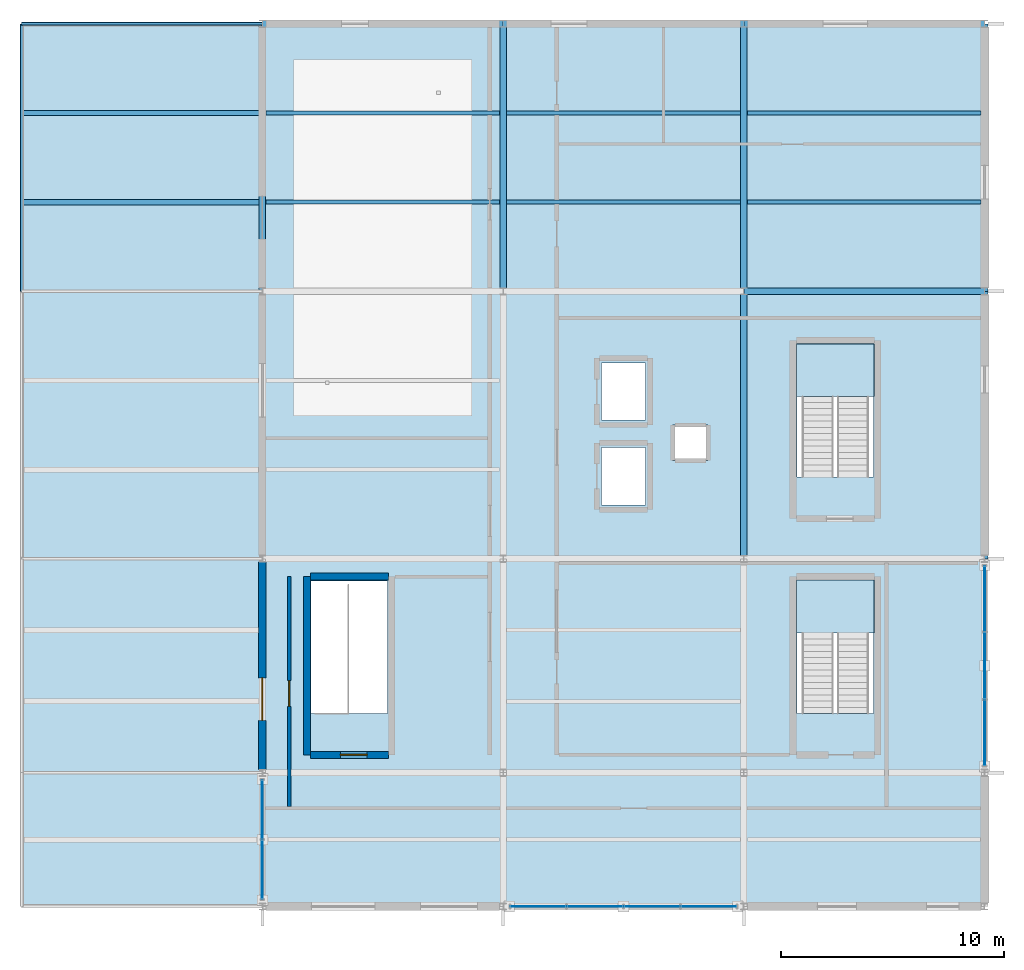
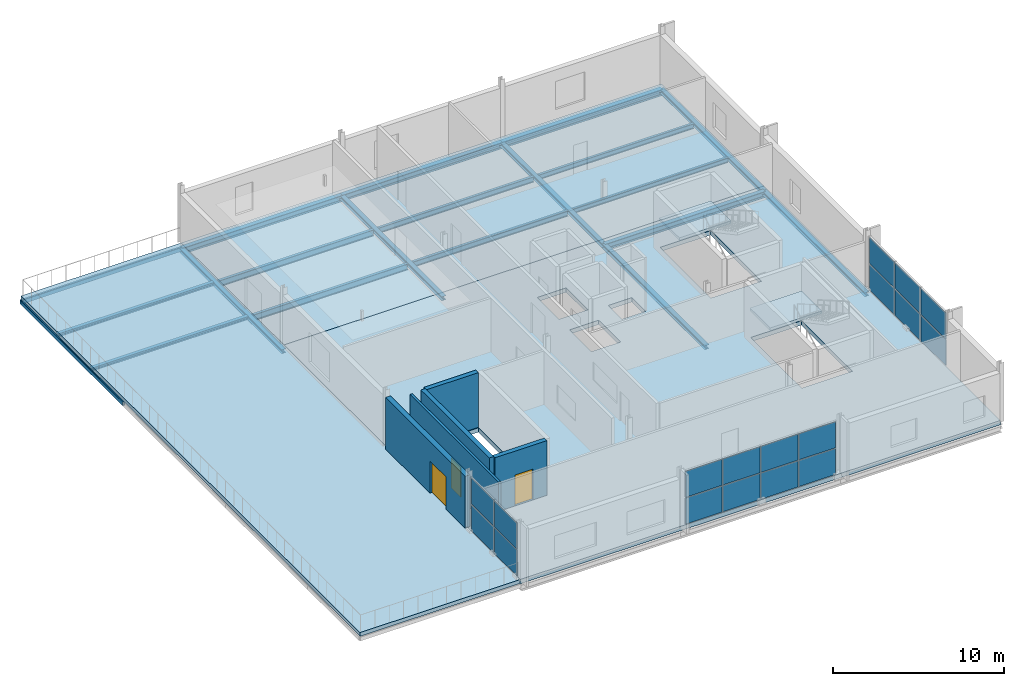
# One storey, part 10 of 13: 20 beams, 18 plates, 5 slabs, 5 walls, 3 doors, 3 openings, 5 elements without a shape of their own.
"""IFC4 building model written with IfcOpenShell, lengths in metres."""

from ifc_helpers import new_model, si_unit, direction, frame, frame_2d, origin, origin_2d, place, context, subcontext, project, spatial, polyline, rectangle, hollow_rectangle, i_section, outline, extrude, material, layer, layer_set, material_profile, profile_set, type_object, element, fill, aggregate, save


model = new_model("IFC4")

# Units and contexts
model_context = context("Model", 3, precision=1e-05, world=origin(), true_north=direction((0.0, 1.0)))
body_context = subcontext(model_context, "Body", "Model", "MODEL_VIEW")
ifc_project = project(units=[si_unit("LENGTHUNIT", "METRE"), si_unit("AREAUNIT", "SQUARE_METRE"), si_unit("VOLUMEUNIT", "CUBIC_METRE"), si_unit("PLANEANGLEUNIT", "RADIAN"), si_unit("MASSUNIT", "GRAM", prefix="KILO")], contexts=[model_context])

# Site, building, storey
site_placement = place(None, origin())
site = spatial("IfcSite", under=ifc_project, at=site_placement, CompositionType="ELEMENT")
building_placement = place(site_placement, origin())
building = spatial("IfcBuilding", under=site, at=building_placement, Name="Merenkruunu Market Hall", CompositionType="ELEMENT")
storey_placement = place(building_placement, frame((0.0, 0.0, 14.39990234375)))
storey = spatial("IfcBuildingStorey", under=building, at=storey_placement, Name="L03", CompositionType="ELEMENT", Elevation=14.39990234375)

# Beams
ifc_material_1 = material(Name="Steel S355J2", Category="steel")
ifc_material_profile_1 = material_profile(ifc_material_1, hollow_rectangle(XDim=0.14990234375, YDim=0.300048828125, WallThickness=0.012451171875, InnerFilletRadius=0.012451171875, OuterFilletRadius=0.02490234375, at=origin_2d()), Name="RHS 300x150x12.5")
ifc_profile_set_1 = profile_set([ifc_material_profile_1], Name="Steel S355J2")
beam_type_1 = type_object("IfcBeamType", Name="Perimeter Spandrel Beam SP03", PredefinedType="SPANDREL", material=ifc_profile_set_1)
beam_1_placement = place(storey_placement, frame((148.800048828125, 39.60009765625, -0.419921875), z_axis=(1.0, 0.0, 0.0), x_axis=(0.0, 1.0, 0.0)))
element("IfcBeam", 1, at=beam_1_placement, inside=storey, type_object=beam_type_1, Name="BM-L03-SP03-0871", PredefinedType="SPANDREL", context=body_context, shape_type="SweptSolid", body=[
    extrude(hollow_rectangle(XDim=0.14990234375, YDim=0.300048828125, WallThickness=0.012451171875, InnerFilletRadius=0.012451171875, OuterFilletRadius=0.02490234375, at=origin_2d()), origin(), (0.0, 0.0, 1.0), 10.800048828125),
])
beam_2_placement = place(storey_placement, frame((148.800048828125, 27.60009765625, -0.419921875), z_axis=(0.0, 1.0, 0.0), x_axis=(-1.0, 0.0, 0.0)))
element("IfcBeam", 2, at=beam_2_placement, inside=storey, type_object=beam_type_1, Name="BM-L03-SP03-0878", PredefinedType="SPANDREL", context=body_context, shape_type="SweptSolid", body=[
    extrude(hollow_rectangle(XDim=0.14990234375, YDim=0.300048828125, WallThickness=0.012451171875, InnerFilletRadius=0.012451171875, OuterFilletRadius=0.02490234375, at=origin_2d()), origin(), (0.0, 0.0, 1.0), 12.0),
])
ifc_material_profile_2 = material_profile(ifc_material_1, i_section(OverallWidth=0.300048828125, OverallDepth=0.43994140625, WebThickness=0.011474609375, FlangeThickness=0.02099609375, FilletRadius=0.027099609375, at=origin_2d()), Name="HEA 450")
ifc_profile_set_2 = profile_set([ifc_material_profile_2], Name="Steel S355J2")
beam_type_2 = type_object("IfcBeamType", Name="Primary Floor Girder B07", PredefinedType="BEAM", material=ifc_profile_set_2)
beam_3_placement = place(storey_placement, frame((181.199951171875, 27.60009765625, -0.52978515625), z_axis=(1.0, 0.0, 0.0), x_axis=(0.0, 1.0, 0.0)))
element("IfcBeam", 3, at=beam_3_placement, inside=storey, type_object=beam_type_2, Name="BM-L03-B07-0870", PredefinedType="BEAM", context=body_context, shape_type="SweptSolid", body=[
    extrude(i_section(OverallWidth=0.300048828125, OverallDepth=0.43994140625, WebThickness=0.011474609375, FlangeThickness=0.02099609375, FilletRadius=0.027099609375, at=origin_2d()), origin(), (0.0, 0.0, 1.0), 10.800048828125),
])
beam_4_placement = place(storey_placement, frame((159.60009765625, 39.60009765625, -0.52978515625), z_axis=(1.0, 0.0, 0.0), x_axis=(0.0, 1.0, 0.0)))
element("IfcBeam", 4, at=beam_4_placement, inside=storey, type_object=beam_type_2, Name="BM-L03-B07-0872", PredefinedType="BEAM", context=body_context, shape_type="SweptSolid", body=[
    extrude(i_section(OverallWidth=0.300048828125, OverallDepth=0.43994140625, WebThickness=0.011474609375, FlangeThickness=0.02099609375, FilletRadius=0.027099609375, at=origin_2d()), origin(), (0.0, 0.0, 1.0), 10.7998046875),
])
for number, where, z_axis, x_axis, name in (
    (5, (170.39990234375, 39.60009765625, -0.52978515625), (1.0, 0.0, 0.0), (0.0, 1.0, 0.0), "BM-L03-B07-0873"),
    (6, (181.199951171875, 39.60009765625, -0.52978515625), (1.0, 0.0, 0.0), (0.0, 1.0, 0.0), "BM-L03-B07-0874"),
):
    element("IfcBeam", number, at=place(storey_placement, frame(where, z_axis=z_axis, x_axis=x_axis)), inside=storey, type_object=beam_type_2, Name=name, PredefinedType="BEAM", context=body_context, shape_type="SweptSolid", body=[
        extrude(i_section(OverallWidth=0.300048828125, OverallDepth=0.43994140625, WebThickness=0.011474609375, FlangeThickness=0.02099609375, FilletRadius=0.027099609375, at=origin_2d()), origin(), (0.0, 0.0, 1.0), 10.800048828125),
    ])
ifc_material_profile_3 = material_profile(ifc_material_1, i_section(OverallWidth=0.300048828125, OverallDepth=0.2900390625, WebThickness=0.008544921875, FlangeThickness=0.013916015625, FilletRadius=0.027099609375, at=origin_2d()), Name="HEA 300")
ifc_profile_set_3 = profile_set([ifc_material_profile_3], Name="Steel S355J2")
beam_type_3 = type_object("IfcBeamType", Name="Primary Floor Girder B09", PredefinedType="BEAM", material=ifc_profile_set_3)
for number, where, z_axis, x_axis, name in (
    (7, (159.60009765625, 27.60009765625, -0.454833984375), (0.0, 1.0, 0.0), (-1.0, 0.0, 0.0), "BM-L03-B09-0882"),
    (8, (170.39990234375, 27.60009765625, -0.454833984375), (0.0, 1.0, 0.0), (-1.0, 0.0, 0.0), "BM-L03-B09-0886"),
    (9, (181.199951171875, 15.60009765625, -0.454833984375), (0.0, 1.0, 0.0), (-1.0, 0.0, 0.0), "BM-L03-B09-0889"),
    (10, (181.199951171875, 27.60009765625, -0.454833984375), (0.0, 1.0, 0.0), (-1.0, 0.0, 0.0), "BM-L03-B09-0890"),
    (11, (192.0, 15.60009765625, -0.454833984375), (0.0, 1.0, 0.0), (-1.0, 0.0, 0.0), "BM-L03-B09-0893"),
    (12, (192.0, 27.60009765625, -0.454833984375), (0.0, 1.0, 0.0), (-1.0, 0.0, 0.0), "BM-L03-B09-0894"),
):
    element("IfcBeam", number, at=place(storey_placement, frame(where, z_axis=z_axis, x_axis=x_axis)), inside=storey, type_object=beam_type_3, Name=name, PredefinedType="BEAM", context=body_context, shape_type="SweptSolid", body=[
        extrude(i_section(OverallWidth=0.300048828125, OverallDepth=0.2900390625, WebThickness=0.008544921875, FlangeThickness=0.013916015625, FilletRadius=0.027099609375, at=origin_2d()), origin(), (0.0, 0.0, 1.0), 12.0),
    ])
ifc_material_profile_4 = material_profile(ifc_material_1, i_section(OverallWidth=0.18994140625, OverallDepth=0.449951171875, WebThickness=0.009521484375, FlangeThickness=0.0146484375, FilletRadius=0.02099609375, at=origin_2d()), Name="IPE 450")
ifc_profile_set_4 = profile_set([ifc_material_profile_4], Name="Steel S355J2")
beam_type_4 = type_object("IfcBeamType", Name="Secondary Floor Joist J01", PredefinedType="JOIST", material=ifc_profile_set_4)
for number, where, z_axis, x_axis, name in (
    (13, (159.7529296875, 31.60009765625, -0.534912109375), (1.0, 0.0, 0.0), (0.0, 1.0, 0.0), "BM-L03-J01-0905"),
    (14, (159.7529296875, 35.60009765625, -0.534912109375), (1.0, 0.0, 0.0), (0.0, 1.0, 0.0), "BM-L03-J01-0906"),
):
    element("IfcBeam", number, at=place(storey_placement, frame(where, z_axis=z_axis, x_axis=x_axis)), inside=storey, type_object=beam_type_4, Name=name, PredefinedType="JOIST", context=body_context, shape_type="SweptSolid", body=[
        extrude(i_section(OverallWidth=0.18994140625, OverallDepth=0.449951171875, WebThickness=0.009521484375, FlangeThickness=0.0146484375, FilletRadius=0.02099609375, at=origin_2d()), origin(), (0.0, 0.0, 1.0), 10.494140625),
    ])
ifc_material_profile_5 = material_profile(ifc_material_1, i_section(OverallWidth=0.179931640625, OverallDepth=0.39990234375, WebThickness=0.008544921875, FlangeThickness=0.013427734375, FilletRadius=0.02099609375, at=origin_2d()), Name="IPE 400")
ifc_profile_set_5 = profile_set([ifc_material_profile_5], Name="Steel S355J2")
beam_type_5 = type_object("IfcBeamType", Name="Secondary Floor Joist J02", PredefinedType="JOIST", material=ifc_profile_set_5)
for number, where, z_axis, x_axis, name in (
    (15, (170.552978515625, 31.60009765625, -0.510009765625), (1.0, 0.0, 0.0), (0.0, 1.0, 0.0), "BM-L03-J02-0910"),
    (16, (170.552978515625, 35.60009765625, -0.510009765625), (1.0, 0.0, 0.0), (0.0, 1.0, 0.0), "BM-L03-J02-0911"),
):
    element("IfcBeam", number, at=place(storey_placement, frame(where, z_axis=z_axis, x_axis=x_axis)), inside=storey, type_object=beam_type_5, Name=name, PredefinedType="JOIST", context=body_context, shape_type="SweptSolid", body=[
        extrude(i_section(OverallWidth=0.179931640625, OverallDepth=0.39990234375, WebThickness=0.008544921875, FlangeThickness=0.013427734375, FilletRadius=0.02099609375, at=origin_2d()), origin(), (0.0, 0.0, 1.0), 10.494140625),
    ])
ifc_material_profile_6 = material_profile(ifc_material_1, i_section(OverallWidth=0.169921875, OverallDepth=0.360107421875, WebThickness=0.008056640625, FlangeThickness=0.0126953125, FilletRadius=0.01806640625, at=origin_2d()), Name="IPE 360")
ifc_profile_set_6 = profile_set([ifc_material_profile_6], Name="Steel S355J2")
beam_type_6 = type_object("IfcBeamType", Name="Secondary Floor Joist J03", PredefinedType="JOIST", material=ifc_profile_set_6)
for number, where, z_axis, x_axis, name in (
    (17, (181.35302734375, 31.60009765625, -0.489990234375), (1.0, 0.0, 0.0), (0.0, 1.0, 0.0), "BM-L03-J03-0913"),
    (18, (181.35302734375, 35.60009765625, -0.489990234375), (1.0, 0.0, 0.0), (0.0, 1.0, 0.0), "BM-L03-J03-0914"),
):
    element("IfcBeam", number, at=place(storey_placement, frame(where, z_axis=z_axis, x_axis=x_axis)), inside=storey, type_object=beam_type_6, Name=name, PredefinedType="JOIST", context=body_context, shape_type="SweptSolid", body=[
        extrude(i_section(OverallWidth=0.169921875, OverallDepth=0.360107421875, WebThickness=0.008056640625, FlangeThickness=0.0126953125, FilletRadius=0.01806640625, at=origin_2d()), origin(), (0.0, 0.0, 1.0), 10.493896484375),
    ])
ifc_material_profile_7 = material_profile(ifc_material_1, i_section(OverallWidth=0.239990234375, OverallDepth=0.22998046875, WebThickness=0.007568359375, FlangeThickness=0.011962890625, FilletRadius=0.02099609375, at=origin_2d()), Name="HEA 240")
ifc_profile_set_7 = profile_set([ifc_material_profile_7], Name="Steel S355J2")
beam_type_7 = type_object("IfcBeamType", Name="Secondary Floor Joist J06", PredefinedType="JOIST", material=ifc_profile_set_7)
for number, where, z_axis, x_axis, name in (
    (19, (148.8779296875, 31.60009765625, -0.385009765625), (1.0, 0.0, 0.0), (0.0, 1.0, 0.0), "BM-L03-J06-0900"),
    (20, (148.8779296875, 35.60009765625, -0.385009765625), (1.0, 0.0, 0.0), (0.0, 1.0, 0.0), "BM-L03-J06-0901"),
):
    element("IfcBeam", number, at=place(storey_placement, frame(where, z_axis=z_axis, x_axis=x_axis)), inside=storey, type_object=beam_type_7, Name=name, PredefinedType="JOIST", context=body_context, shape_type="SweptSolid", body=[
        extrude(i_section(OverallWidth=0.239990234375, OverallDepth=0.22998046875, WebThickness=0.007568359375, FlangeThickness=0.011962890625, FilletRadius=0.02099609375, at=origin_2d()), origin(), (0.0, 0.0, 1.0), 10.569091796875),
    ])

# Curtain wall, plates
ifc_material_2 = material(Name="Powder-coated aluminium", Category="aluminium")
curtain_wall_type_1 = type_object("IfcCurtainWallType", Name="Glazed Curtain Wall CW07", PredefinedType="USERDEFINED", material=ifc_material_2)
curtain_wall_1_placement = place(storey_placement, origin())
curtain_wall_1 = element("IfcCurtainWall", 21, at=curtain_wall_1_placement, inside=storey, type_object=curtain_wall_type_1, Name="CW-L03-CWM03-220", ObjectType="GLAZED_FACADE", PredefinedType="USERDEFINED")
ifc_material_3 = material(Name="Triple low-E insulated glass", Category="glass")
ifc_layer_1 = layer(ifc_material_3, 0.035888671875)
ifc_layer_set_1 = layer_set([ifc_layer_1], Name="Triple low-E insulated glass")
plate_type_1 = type_object("IfcPlateType", Name="Curtain Wall Glazing Panel CWP05", PredefinedType="CURTAIN_PANEL", material=ifc_layer_set_1)
plate_1_placement = place(storey_placement, frame((179.625, 0.0, 0.06005859375), z_axis=(0.0, 0.0, 1.0), x_axis=(-1.0, 0.0, 0.0)))
plate_1 = element("IfcPlate", 22, at=plate_1_placement, type_object=plate_type_1, Name="CW07 panel 1.1", PredefinedType="CURTAIN_PANEL", context=body_context, shape_type="SweptSolid", body=[
    extrude(rectangle(XDim=2.469970703125, YDim=0.035888671875, at=origin_2d()), origin(), (0.0, 0.0, 1.0), 1.85009765625),
])
plate_2_placement = place(storey_placement, frame((179.625, 0.0, 1.969970703125), z_axis=(0.0, 0.0, 1.0), x_axis=(-1.0, 0.0, 0.0)))
plate_2 = element("IfcPlate", 23, at=plate_2_placement, type_object=plate_type_1, Name="CW07 panel 1.2", PredefinedType="CURTAIN_PANEL", context=body_context, shape_type="SweptSolid", body=[
    extrude(rectangle(XDim=2.469970703125, YDim=0.035888671875, at=origin_2d()), origin(), (0.0, 0.0, 1.0), 1.85009765625),
])
plate_3_placement = place(storey_placement, frame((177.080078125, 0.0, 0.06005859375), z_axis=(0.0, 0.0, 1.0), x_axis=(-1.0, 0.0, 0.0)))
plate_3 = element("IfcPlate", 24, at=plate_3_placement, type_object=plate_type_1, Name="CW07 panel 2.1", PredefinedType="CURTAIN_PANEL", context=body_context, shape_type="SweptSolid", body=[
    extrude(rectangle(XDim=2.5, YDim=0.035888671875, at=origin_2d()), origin(), (0.0, 0.0, 1.0), 1.85009765625),
])
plate_4_placement = place(storey_placement, frame((177.080078125, 0.0, 1.969970703125), z_axis=(0.0, 0.0, 1.0), x_axis=(-1.0, 0.0, 0.0)))
plate_4 = element("IfcPlate", 25, at=plate_4_placement, type_object=plate_type_1, Name="CW07 panel 2.2", PredefinedType="CURTAIN_PANEL", context=body_context, shape_type="SweptSolid", body=[
    extrude(rectangle(XDim=2.5, YDim=0.035888671875, at=origin_2d()), origin(), (0.0, 0.0, 1.0), 1.85009765625),
])
plate_5_placement = place(storey_placement, frame((174.52001953125, 0.0, 0.06005859375), z_axis=(0.0, 0.0, 1.0), x_axis=(-1.0, 0.0, 0.0)))
plate_5 = element("IfcPlate", 26, at=plate_5_placement, type_object=plate_type_1, Name="CW07 panel 3.1", PredefinedType="CURTAIN_PANEL", context=body_context, shape_type="SweptSolid", body=[
    extrude(rectangle(XDim=2.5, YDim=0.035888671875, at=origin_2d()), origin(), (0.0, 0.0, 1.0), 1.85009765625),
])
plate_6_placement = place(storey_placement, frame((174.52001953125, 0.0, 1.969970703125), z_axis=(0.0, 0.0, 1.0), x_axis=(-1.0, 0.0, 0.0)))
plate_6 = element("IfcPlate", 27, at=plate_6_placement, type_object=plate_type_1, Name="CW07 panel 3.2", PredefinedType="CURTAIN_PANEL", context=body_context, shape_type="SweptSolid", body=[
    extrude(rectangle(XDim=2.5, YDim=0.035888671875, at=origin_2d()), origin(), (0.0, 0.0, 1.0), 1.85009765625),
])
plate_7_placement = place(storey_placement, frame((171.97509765625, 0.0, 0.06005859375), z_axis=(0.0, 0.0, 1.0), x_axis=(-1.0, 0.0, 0.0)))
plate_7 = element("IfcPlate", 28, at=plate_7_placement, type_object=plate_type_1, Name="CW07 panel 4.1", PredefinedType="CURTAIN_PANEL", context=body_context, shape_type="SweptSolid", body=[
    extrude(rectangle(XDim=2.469970703125, YDim=0.035888671875, at=origin_2d()), origin(), (0.0, 0.0, 1.0), 1.85009765625),
])
plate_8_placement = place(storey_placement, frame((171.97509765625, 0.0, 1.969970703125), z_axis=(0.0, 0.0, 1.0), x_axis=(-1.0, 0.0, 0.0)))
plate_8 = element("IfcPlate", 29, at=plate_8_placement, type_object=plate_type_1, Name="CW07 panel 4.2", PredefinedType="CURTAIN_PANEL", context=body_context, shape_type="SweptSolid", body=[
    extrude(rectangle(XDim=2.469970703125, YDim=0.035888671875, at=origin_2d()), origin(), (0.0, 0.0, 1.0), 1.85009765625),
])
aggregate(curtain_wall_1, [plate_1, plate_2, plate_3, plate_4, plate_5, plate_6, plate_7, plate_8])

curtain_wall_2_placement = place(storey_placement, origin())
curtain_wall_2 = element("IfcCurtainWall", 30, at=curtain_wall_2_placement, inside=storey, type_object=curtain_wall_type_1, Name="CW-L03-CWM03-221", ObjectType="GLAZED_FACADE", PredefinedType="USERDEFINED")
ifc_material_4 = material(Name="Powder-coated aluminium spandrel panel", Category="aluminium")
ifc_layer_2 = layer(ifc_material_4, 0.0419921875)
ifc_layer_set_2 = layer_set([ifc_layer_2], Name="Powder-coated aluminium spandrel panel")
plate_type_2 = type_object("IfcPlateType", Name="Curtain Wall Glazing Panel CWP06", PredefinedType="CURTAIN_PANEL", material=ifc_layer_set_2)
plate_9_placement = place(storey_placement, frame((192.0, 13.79833984375, 0.06005859375), z_axis=(0.0, 0.0, 1.0), x_axis=(0.0, -1.0, 0.0)))
plate_9 = element("IfcPlate", 31, at=plate_9_placement, type_object=plate_type_2, Name="CW07 panel 1.1", PredefinedType="CURTAIN_PANEL", context=body_context, shape_type="SweptSolid", body=[
    extrude(rectangle(XDim=2.92333984375, YDim=0.0419921875, at=origin_2d()), origin(), (0.0, 0.0, 1.0), 1.85009765625),
])
plate_10_placement = place(storey_placement, frame((192.0, 13.79833984375, 1.969970703125), z_axis=(0.0, 0.0, 1.0), x_axis=(0.0, -1.0, 0.0)))
plate_10 = element("IfcPlate", 32, at=plate_10_placement, type_object=plate_type_2, Name="CW07 panel 1.2", PredefinedType="CURTAIN_PANEL", context=body_context, shape_type="SweptSolid", body=[
    extrude(rectangle(XDim=2.92333984375, YDim=0.0419921875, at=origin_2d()), origin(), (0.0, 0.0, 1.0), 1.85009765625),
])
plate_11_placement = place(storey_placement, frame((192.0, 10.800048828125, 0.06005859375), z_axis=(0.0, 0.0, 1.0), x_axis=(0.0, -1.0, 0.0)))
plate_11 = element("IfcPlate", 33, at=plate_11_placement, type_object=plate_type_2, Name="CW07 panel 2.1", PredefinedType="CURTAIN_PANEL", context=body_context, shape_type="SweptSolid", body=[
    extrude(rectangle(XDim=2.953369140625, YDim=0.0419921875, at=origin_2d()), origin(), (0.0, 0.0, 1.0), 1.85009765625),
])
plate_12_placement = place(storey_placement, frame((192.0, 10.800048828125, 1.969970703125), z_axis=(0.0, 0.0, 1.0), x_axis=(0.0, -1.0, 0.0)))
plate_12 = element("IfcPlate", 34, at=plate_12_placement, type_object=plate_type_2, Name="CW07 panel 2.2", PredefinedType="CURTAIN_PANEL", context=body_context, shape_type="SweptSolid", body=[
    extrude(rectangle(XDim=2.953369140625, YDim=0.0419921875, at=origin_2d()), origin(), (0.0, 0.0, 1.0), 1.85009765625),
])
plate_13_placement = place(storey_placement, frame((192.0, 7.8017578125, 0.06005859375), z_axis=(0.0, 0.0, 1.0), x_axis=(0.0, -1.0, 0.0)))
plate_13 = element("IfcPlate", 35, at=plate_13_placement, type_object=plate_type_2, Name="CW07 panel 3.1", PredefinedType="CURTAIN_PANEL", context=body_context, shape_type="SweptSolid", body=[
    extrude(rectangle(XDim=2.92333984375, YDim=0.0419921875, at=origin_2d()), origin(), (0.0, 0.0, 1.0), 1.85009765625),
])
plate_14_placement = place(storey_placement, frame((192.0, 7.8017578125, 1.969970703125), z_axis=(0.0, 0.0, 1.0), x_axis=(0.0, -1.0, 0.0)))
plate_14 = element("IfcPlate", 36, at=plate_14_placement, type_object=plate_type_2, Name="CW07 panel 3.2", PredefinedType="CURTAIN_PANEL", context=body_context, shape_type="SweptSolid", body=[
    extrude(rectangle(XDim=2.92333984375, YDim=0.0419921875, at=origin_2d()), origin(), (0.0, 0.0, 1.0), 1.85009765625),
])
aggregate(curtain_wall_2, [plate_9, plate_10, plate_11, plate_12, plate_13, plate_14])

curtain_wall_type_2 = type_object("IfcCurtainWallType", Name="Glazed Curtain Wall CW14", PredefinedType="USERDEFINED", material=ifc_material_2)
curtain_wall_3_placement = place(storey_placement, origin())
curtain_wall_3 = element("IfcCurtainWall", 37, at=curtain_wall_3_placement, inside=storey, type_object=curtain_wall_type_2, Name="CW-L03-CWM02-222", ObjectType="GLAZED_FACADE", PredefinedType="USERDEFINED")
ifc_layer_3 = layer(ifc_material_3, 0.0380859375)
ifc_layer_set_3 = layer_set([ifc_layer_3], Name="Triple low-E insulated glass")
plate_type_3 = type_object("IfcPlateType", Name="Curtain Wall Glazing Panel CWP10", PredefinedType="CURTAIN_PANEL", material=ifc_layer_set_3)
plate_15_placement = place(storey_placement, frame((159.60009765625, 1.655029296875, 0.06005859375), z_axis=(0.0, 0.0, 1.0), x_axis=(0.0, 1.0, 0.0)))
plate_15 = element("IfcPlate", 38, at=plate_15_placement, type_object=plate_type_3, Name="CW14 panel 1.1", PredefinedType="CURTAIN_PANEL", context=body_context, shape_type="SweptSolid", body=[
    extrude(rectangle(XDim=2.6298828125, YDim=0.0380859375, at=origin_2d()), origin(), (0.0, 0.0, 1.0), 1.85009765625),
])
plate_16_placement = place(storey_placement, frame((159.60009765625, 1.655029296875, 1.969970703125), z_axis=(0.0, 0.0, 1.0), x_axis=(0.0, 1.0, 0.0)))
plate_16 = element("IfcPlate", 39, at=plate_16_placement, type_object=plate_type_3, Name="CW14 panel 1.2", PredefinedType="CURTAIN_PANEL", context=body_context, shape_type="SweptSolid", body=[
    extrude(rectangle(XDim=2.6298828125, YDim=0.0380859375, at=origin_2d()), origin(), (0.0, 0.0, 1.0), 1.85009765625),
])
plate_17_placement = place(storey_placement, frame((159.60009765625, 4.344970703125, 0.06005859375), z_axis=(0.0, 0.0, 1.0), x_axis=(0.0, 1.0, 0.0)))
plate_17 = element("IfcPlate", 40, at=plate_17_placement, type_object=plate_type_3, Name="CW14 panel 2.1", PredefinedType="CURTAIN_PANEL", context=body_context, shape_type="SweptSolid", body=[
    extrude(rectangle(XDim=2.6298828125, YDim=0.0380859375, at=origin_2d()), origin(), (0.0, 0.0, 1.0), 1.85009765625),
])
plate_18_placement = place(storey_placement, frame((159.60009765625, 4.344970703125, 1.969970703125), z_axis=(0.0, 0.0, 1.0), x_axis=(0.0, 1.0, 0.0)))
plate_18 = element("IfcPlate", 41, at=plate_18_placement, type_object=plate_type_3, Name="CW14 panel 2.2", PredefinedType="CURTAIN_PANEL", context=body_context, shape_type="SweptSolid", body=[
    extrude(rectangle(XDim=2.6298828125, YDim=0.0380859375, at=origin_2d()), origin(), (0.0, 0.0, 1.0), 1.85009765625),
])
aggregate(curtain_wall_3, [plate_15, plate_16, plate_17, plate_18])

# Stair, slab
ifc_material_5 = material(Name="Concrete C35/45", Category="concrete")
stair_type = type_object("IfcStairType", Name="Two Flight Half Turn Stair ST04", PredefinedType="TWO_STRAIGHT_RUN_STAIR", material=ifc_material_5)
stair_1_placement = place(storey_placement, origin())
stair_1 = element("IfcStair", 42, at=stair_1_placement, inside=storey, type_object=stair_type, Name="Protected Stair ST12 (K5 L03-L04)", PredefinedType="TWO_STRAIGHT_RUN_STAIR")
ifc_layer_4 = layer(ifc_material_5, 0.18994140625)
ifc_layer_set_4 = layer_set([ifc_layer_4], Name="Concrete C35/45")
slab_type_1 = type_object("IfcSlabType", Name="Stair Half Landing LS01", PredefinedType="LANDING", material=ifc_layer_set_4)
slab_1_placement = place(storey_placement, frame((0.0, 0.0, 1.91015625)))
slab_1 = element("IfcSlab", 43, at=slab_1_placement, type_object=slab_type_1, Name="ST12 landing 1", PredefinedType="LANDING", context=body_context, shape_type="SweptSolid", body=[
    extrude(outline(polyline([(183.554931640625, 12.280029296875), (187.044921875, 12.280029296875), (187.044921875, 14.64501953125), (183.554931640625, 14.64501953125), (183.554931640625, 12.280029296875)])), origin(), (0.0, 0.0, 1.0), 0.18994140625),
])
aggregate(stair_1, [slab_1])

stair_2_placement = place(storey_placement, origin())
stair_2 = element("IfcStair", 44, at=stair_2_placement, inside=storey, type_object=stair_type, Name="Protected Stair ST16 (K6 L03-L04)", PredefinedType="TWO_STRAIGHT_RUN_STAIR")
slab_2_placement = place(storey_placement, frame((0.0, 0.0, 1.91015625)))
slab_2 = element("IfcSlab", 45, at=slab_2_placement, type_object=slab_type_1, Name="ST16 landing 1", PredefinedType="LANDING", context=body_context, shape_type="SweptSolid", body=[
    extrude(outline(polyline([(183.554931640625, 22.8798828125), (187.044921875, 22.8798828125), (187.044921875, 25.2451171875), (183.554931640625, 25.2451171875), (183.554931640625, 22.8798828125)])), origin(), (0.0, 0.0, 1.0), 0.18994140625),
])
aggregate(stair_2, [slab_2])

# Slabs
ifc_layer_5 = layer(ifc_material_5, 0.31005859375)
ifc_layer_set_5 = layer_set([ifc_layer_5], Name="Concrete C35/45")
slab_type_2 = type_object("IfcSlabType", Name="Suspended Floor Slab FS04", PredefinedType="FLOOR", material=ifc_layer_set_5)
slab_3_placement = place(storey_placement, frame((0.0, 0.0, -0.309814453125)))
element("IfcSlab", 46, at=slab_3_placement, inside=storey, type_object=slab_type_2, Name="SL-L03-V3A", PredefinedType="FLOOR", context=body_context, shape_type="SweptSolid", body=[
    extrude(outline(polyline([(159.60009765625, 0.0), (192.0, 0.0), (192.0, 27.60009765625), (159.60009765625, 27.60009765625), (159.60009765625, 0.0)]), holes=[polyline([(183.590087890625, 8.659912109375), (187.010009765625, 8.659912109375), (187.010009765625, 14.610107421875), (183.590087890625, 14.610107421875), (183.590087890625, 8.659912109375)]), polyline([(183.590087890625, 19.260009765625), (187.010009765625, 19.260009765625), (187.010009765625, 25.2099609375), (183.590087890625, 25.2099609375), (183.590087890625, 19.260009765625)]), polyline([(161.7900390625, 8.659912109375), (165.2099609375, 8.659912109375), (165.2099609375, 14.610107421875), (161.7900390625, 14.610107421875), (161.7900390625, 8.659912109375)]), polyline([(174.820068359375, 18.02001953125), (176.780029296875, 18.02001953125), (176.780029296875, 20.580078125), (174.820068359375, 20.580078125), (174.820068359375, 18.02001953125)]), polyline([(174.820068359375, 21.820068359375), (176.780029296875, 21.820068359375), (176.780029296875, 24.3798828125), (174.820068359375, 24.3798828125), (174.820068359375, 21.820068359375)]), polyline([(178.0, 20.0), (179.60009765625, 20.0), (179.60009765625, 21.60009765625), (178.0, 21.60009765625), (178.0, 20.0)])]), origin(), (0.0, 0.0, 1.0), 0.309814453125),
])
slab_4_placement = place(storey_placement, frame((0.0, 0.0, -0.309814453125)))
element("IfcSlab", 47, at=slab_4_placement, inside=storey, type_object=slab_type_2, Name="SL-L03-V3B", PredefinedType="FLOOR", context=body_context, shape_type="SweptSolid", body=[
    extrude(outline(polyline([(159.60009765625, 27.60009765625), (192.0, 27.60009765625), (192.0, 39.60009765625), (159.60009765625, 39.60009765625), (159.60009765625, 27.60009765625)])), origin(), (0.0, 0.0, 1.0), 0.309814453125),
])
ifc_material_6 = material(Name="Precast concrete C40/50", Category="concrete")
ifc_layer_6 = layer(ifc_material_6, 0.27001953125)
ifc_layer_set_6 = layer_set([ifc_layer_6], Name="Precast concrete C40/50")
slab_type_3 = type_object("IfcSlabType", Name="Suspended Floor Slab FS05", PredefinedType="FLOOR", material=ifc_layer_set_6)
slab_5_placement = place(storey_placement, frame((0.0, 0.0, -0.27001953125)))
element("IfcSlab", 48, at=slab_5_placement, inside=storey, type_object=slab_type_3, Name="SL-L03-TERW", PredefinedType="FLOOR", context=body_context, shape_type="SweptSolid", body=[
    extrude(outline(polyline([(148.800048828125, 0.0), (159.60009765625, 0.0), (159.60009765625, 39.60009765625), (148.800048828125, 39.60009765625), (148.800048828125, 0.0)])), origin(), (0.0, 0.0, 1.0), 0.27001953125),
])

# Wall, opening, door
ifc_layer_7 = layer(ifc_material_6, 0.340087890625)
ifc_layer_set_7 = layer_set([ifc_layer_7], Name="Precast concrete C40/50")
wall_type_1 = type_object("IfcWallType", Name="Exterior Envelope Wall EW03", PredefinedType="STANDARD", material=ifc_layer_set_7)
wall_1_placement = place(storey_placement, frame((159.60009765625, 6.154052734375, 0.0), z_axis=(0.0, 0.0, 1.0), x_axis=(0.0, 1.0, 0.0)))
wall_1 = element("IfcWall", 49, at=wall_1_placement, inside=storey, type_object=wall_type_1, Name="WALL-EXT-L03-0103", PredefinedType="STANDARD", context=body_context, shape_type="SweptSolid", body=[
    extrude(rectangle(XDim=9.2919921875, YDim=0.340087890625, at=frame_2d((4.64599609375, 0.0))), origin(), (0.0, 0.0, 1.0), 3.68505859375),
])
opening_1_placement = place(wall_1_placement, frame((2.199951171875, 0.0, 0.0)))
opening_1 = element("IfcOpeningElement", 50, at=opening_1_placement, cuts=wall_1, Name="Opening TD01", PredefinedType="OPENING", context=body_context, shape_type="SweptSolid", body=[
    extrude(rectangle(XDim=1.89990234375, YDim=2.300048828125, at=frame_2d((0.949951171875, 1.14990234375))), frame((0.0, 0.18017578125, 0.0), z_axis=(0.0, -1.0, 0.0), x_axis=(1.0, 0.0, 0.0)), (0.0, 0.0, 1.0), 0.360107421875),
])
door_type_1 = type_object("IfcDoorType", Name="Terrace Glazed Door TD01", OperationType="NOTDEFINED", PredefinedType="DOOR", material=ifc_material_2)
door_1_placement = place(opening_1_placement, origin())
door_1 = element("IfcDoor", 51, at=door_1_placement, inside=storey, type_object=door_type_1, Name="TD-L03-W1", OperationType="DOUBLE_DOOR_SINGLE_SWING", OverallHeight=2.300048828125, OverallWidth=1.89990234375, PredefinedType="DOOR", context=body_context, shape_type="SweptSolid", body=[
    extrude(rectangle(XDim=1.89990234375, YDim=2.300048828125, at=frame_2d((0.949951171875, 1.14990234375))), frame((0.0, 0.02490234375, 0.0), z_axis=(0.0, -1.0, 0.0), x_axis=(1.0, 0.0, 0.0)), (0.0, 0.0, 1.0), 0.050048828125),
])
fill(opening_1, door_1)

ifc_material_7 = material(Name="Gypsum acoustic partition board")
ifc_layer_8 = layer(ifc_material_7, 0.159912109375)
ifc_layer_set_8 = layer_set([ifc_layer_8], Name="Gypsum acoustic partition board")
wall_type_2 = type_object("IfcWallType", Name="Interior Partition Wall PW01", PredefinedType="PARTITIONING", material=ifc_layer_set_8)
wall_2_placement = place(storey_placement, frame((160.800048828125, 4.48193359375, 0.0), z_axis=(0.0, 0.0, 1.0), x_axis=(0.0, 1.0, 0.0)))
wall_2 = element("IfcWall", 52, at=wall_2_placement, inside=storey, type_object=wall_type_2, Name="WALL-INT-L03-0088", PredefinedType="PARTITIONING", context=body_context, shape_type="SweptSolid", body=[
    extrude(rectangle(XDim=10.318115234375, YDim=0.159912109375, at=frame_2d((5.1591796875, 0.0))), origin(), (0.0, 0.0, 1.0), 3.840087890625),
])
opening_2_placement = place(wall_2_placement, frame((4.5, 0.0, 0.0)))
opening_2 = element("IfcOpeningElement", 53, at=opening_2_placement, cuts=wall_2, Name="Opening D04", PredefinedType="OPENING", context=body_context, shape_type="SweptSolid", body=[
    extrude(rectangle(XDim=1.14990234375, YDim=2.14990234375, at=frame_2d((0.574951171875, 1.074951171875))), frame((0.0, 0.08984375, 0.0), z_axis=(0.0, -1.0, 0.0), x_axis=(1.0, 0.0, 0.0)), (0.0, 0.0, 1.0), 0.179931640625),
])
ifc_material_8 = material(Name="Lacquered Nordic birch")
door_type_2 = type_object("IfcDoorType", Name="Pedestrian Room Door D04", OperationType="NOTDEFINED", PredefinedType="DOOR", material=ifc_material_8)
door_2_placement = place(opening_2_placement, origin())
door_2 = element("IfcDoor", 54, at=door_2_placement, inside=storey, type_object=door_type_2, Name="DR-L03-084", OperationType="SINGLE_SWING_RIGHT", OverallHeight=2.14990234375, OverallWidth=1.14990234375, PredefinedType="DOOR", context=body_context, shape_type="SweptSolid", body=[
    extrude(rectangle(XDim=1.14990234375, YDim=2.14990234375, at=frame_2d((0.574951171875, 1.074951171875))), frame((0.0, 0.02490234375, 0.0), z_axis=(0.0, -1.0, 0.0), x_axis=(1.0, 0.0, 0.0)), (0.0, 0.0, 1.0), 0.050048828125),
])
fill(opening_2, door_2)

ifc_layer_9 = layer(ifc_material_5, 0.300048828125)
ifc_layer_set_9 = layer_set([ifc_layer_9], Name="Concrete C35/45")
wall_type_3 = type_object("IfcWallType", Name="Structural Shear Wall SW02", PredefinedType="SHEAR", material=ifc_layer_set_9)
wall_3_placement = place(storey_placement, frame((165.25, 6.800048828125, 0.0), z_axis=(0.0, 0.0, 1.0), x_axis=(-1.0, 0.0, 0.0)))
wall_3 = element("IfcWall", 55, at=wall_3_placement, inside=storey, type_object=wall_type_3, Name="WALL-CORE-K9-L03-S", PredefinedType="SHEAR", context=body_context, shape_type="SweptSolid", body=[
    extrude(rectangle(XDim=3.5, YDim=0.300048828125, at=frame_2d((1.75, 0.0))), origin(), (0.0, 0.0, 1.0), 3.900146484375),
])
opening_3_placement = place(wall_3_placement, frame((0.949951171875, 0.0, 0.0)))
opening_3 = element("IfcOpeningElement", 56, at=opening_3_placement, cuts=wall_3, Name="Opening FD03", PredefinedType="OPENING", context=body_context, shape_type="SweptSolid", body=[
    extrude(rectangle(XDim=1.199951171875, YDim=2.199951171875, at=frame_2d((0.60009765625, 1.10009765625))), frame((0.0, 0.16015625, 0.0), z_axis=(0.0, -1.0, 0.0), x_axis=(1.0, 0.0, 0.0)), (0.0, 0.0, 1.0), 0.320068359375),
])
door_type_3 = type_object("IfcDoorType", Name="Fire Compartment Door FD03", OperationType="NOTDEFINED", PredefinedType="DOOR", material=ifc_material_2)
door_3_placement = place(opening_3_placement, origin())
door_3 = element("IfcDoor", 57, at=door_3_placement, inside=storey, type_object=door_type_3, Name="DR-L03-128", OperationType="SINGLE_SWING_RIGHT", OverallHeight=2.199951171875, OverallWidth=1.199951171875, PredefinedType="DOOR", context=body_context, shape_type="SweptSolid", body=[
    extrude(rectangle(XDim=1.199951171875, YDim=2.199951171875, at=frame_2d((0.60009765625, 1.10009765625))), frame((0.0, 0.02490234375, 0.0), z_axis=(0.0, -1.0, 0.0), x_axis=(1.0, 0.0, 0.0)), (0.0, 0.0, 1.0), 0.050048828125),
])
fill(opening_3, door_3)

# Walls
wall_4_placement = place(storey_placement, frame((165.25, 14.800048828125, 0.0), z_axis=(0.0, 0.0, 1.0), x_axis=(-1.0, 0.0, 0.0)))
element("IfcWall", 58, at=wall_4_placement, inside=storey, type_object=wall_type_3, Name="WALL-CORE-K9-L03-N", PredefinedType="SHEAR", context=body_context, shape_type="SweptSolid", body=[
    extrude(rectangle(XDim=3.5, YDim=0.300048828125, at=frame_2d((1.75, 0.0))), origin(), (0.0, 0.0, 1.0), 3.900146484375),
])
wall_5_placement = place(storey_placement, frame((161.60009765625, 14.800048828125, 0.0), z_axis=(0.0, 0.0, 1.0), x_axis=(0.0, -1.0, 0.0)))
element("IfcWall", 59, at=wall_5_placement, inside=storey, type_object=wall_type_3, Name="WALL-CORE-K9-L03-W", PredefinedType="SHEAR", context=body_context, shape_type="SweptSolid", body=[
    extrude(rectangle(XDim=8.0, YDim=0.300048828125, at=frame_2d((4.0, 0.0))), origin(), (0.0, 0.0, 1.0), 3.900146484375),
])

save(model, "model.ifc")
